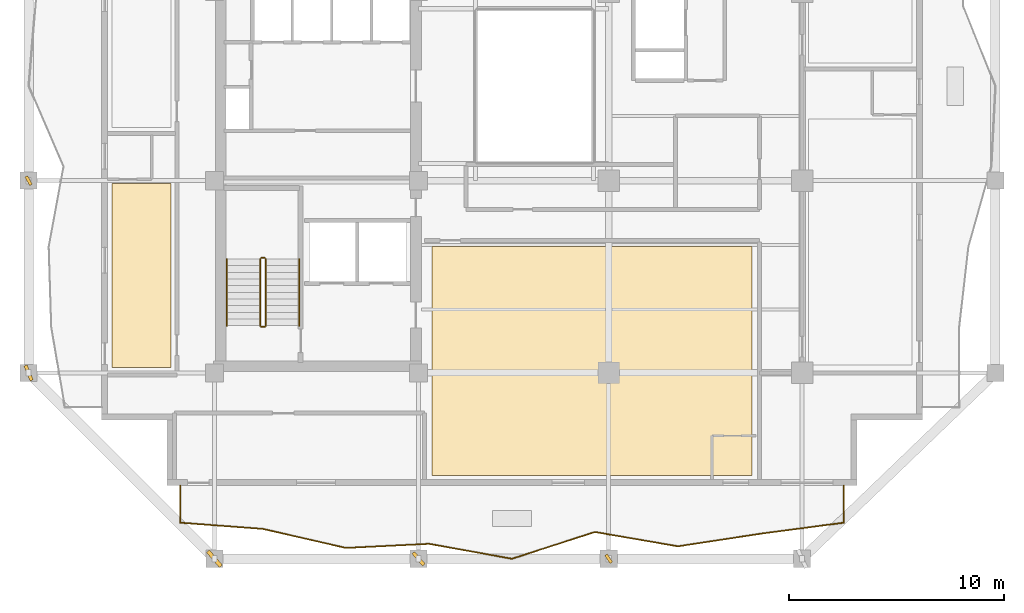
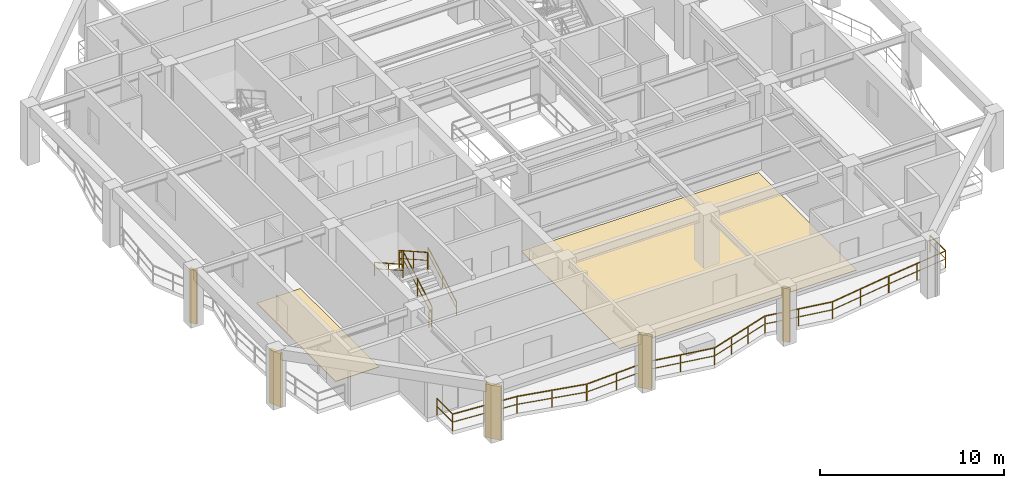
# One storey, part 7 of 10: 7 railings, 5 shading devices, 2 coverings.
"""IFC4 building model written with IfcOpenShell, lengths in metres."""

from ifc_helpers import new_model, si_unit, direction, frame, origin, origin_2d, place, context, subcontext, project, spatial, polyline, rectangle, outline, extrude, material, layer, layer_set, type_object, element, save


model = new_model("IFC4")

# Units and contexts
model_context = context("Model", 3, precision=1e-05, world=origin(), true_north=direction((0.0, 1.0)))
body_context = subcontext(model_context, "Body", "Model", "MODEL_VIEW")
ifc_project = project(units=[si_unit("LENGTHUNIT", "METRE"), si_unit("AREAUNIT", "SQUARE_METRE"), si_unit("VOLUMEUNIT", "CUBIC_METRE"), si_unit("PLANEANGLEUNIT", "RADIAN"), si_unit("MASSUNIT", "GRAM", prefix="KILO")], contexts=[model_context])

# Site, building, storey
site_placement = place(None, origin())
site = spatial("IfcSite", under=ifc_project, at=site_placement, CompositionType="ELEMENT")
building_placement = place(site_placement, origin())
building = spatial("IfcBuilding", under=site, at=building_placement, Name="Kundavana Baori Tower", CompositionType="ELEMENT")
storey_placement = place(building_placement, frame((0.0, 0.0, 150.199951171875)))
storey = spatial("IfcBuildingStorey", under=building, at=storey_placement, Name="L36", CompositionType="ELEMENT", Elevation=150.199951171875)

# Coverings
ifc_material_1 = material(Name="Honed Kota Stone and Terrazzo Flooring", Category="masonry")
ifc_layer = layer(ifc_material_1, 0.030029296875, Name="COV-INT-FLR")
ifc_layer_set = layer_set([ifc_layer], Name="Honed Kota Stone and Terrazzo Flooring")
covering_type = type_object("IfcCoveringType", Name="COV-INT-FLR", PredefinedType="FLOORING", material=ifc_layer_set)
covering_1_placement = place(storey_placement, origin())
element("IfcCovering", 1, at=covering_1_placement, inside=storey, type_object=covering_type, Name="L36 Room Finished Stone Flooring 1", PredefinedType="FLOORING", context=body_context, shape_type="SweptSolid", body=[
    extrude(outline(polyline([(10.679931640625, 15.5), (13.419921875, 15.5), (13.419921875, 24.070068359375), (10.679931640625, 24.070068359375), (10.679931640625, 15.5)])), origin(), (0.0, 0.0, 1.0), 0.030029296875),
])
covering_2_placement = place(storey_placement, origin())
element("IfcCovering", 2, at=covering_2_placement, inside=storey, type_object=covering_type, Name="L36 Room Finished Stone Flooring 3", PredefinedType="FLOORING", context=body_context, shape_type="SweptSolid", body=[
    extrude(outline(polyline([(25.580078125, 10.47998046875), (40.4599609375, 10.47998046875), (40.4599609375, 21.139892578125), (25.580078125, 21.139892578125), (25.580078125, 10.47998046875)])), origin(), (0.0, 0.0, 1.0), 0.030029296875),
])

# Railings
ifc_material_2 = material(Name="Architectural Patinated Bronze Metalwork")
railing_type_1 = type_object("IfcRailingType", Name="RL-BAL-1150", PredefinedType="BALUSTRADE", material=ifc_material_2)
railing_1_placement = place(storey_placement, frame((44.75, 10.0, 0.0)))
element("IfcRailing", 3, at=railing_1_placement, inside=storey, type_object=railing_type_1, Name="L36 Loggia Balcony Balustrade S", PredefinedType="BALUSTRADE", context=body_context, shape_type="SweptSolid", body=[
    extrude(rectangle(XDim=0.048095703125, YDim=0.048095703125, at=origin_2d()), frame((0.0, 0.0, 1.1259765625), z_axis=(0.0, -1.0, 0.0), x_axis=(1.0, 0.0, 0.0)), (0.0, 0.0, 1.0), 1.719970703125),
    extrude(rectangle(XDim=0.03125, YDim=0.03125, at=origin_2d()), frame((0.0, 0.0, 0.597900390625), z_axis=(0.0, -1.0, 0.0), x_axis=(1.0, 0.0, 0.0)), (0.0, 0.0, 1.0), 1.719970703125),
    extrude(rectangle(XDim=0.048095703125, YDim=0.048095703125, at=origin_2d()), frame((0.0, -1.719970703125, 1.1259765625), z_axis=(-0.991299432241, -0.131626120656, 0.0), x_axis=(0.131626120656, -0.991299432241, 0.0)), (0.0, 0.0, 1.0), 3.89697265625),
    extrude(rectangle(XDim=0.03125, YDim=0.03125, at=origin_2d()), frame((0.0, -1.719970703125, 0.597900390625), z_axis=(-0.991299432241, -0.131626120656, 0.0), x_axis=(0.131626120656, -0.991299432241, 0.0)), (0.0, 0.0, 1.0), 3.89697265625),
    extrude(rectangle(XDim=0.048095703125, YDim=0.048095703125, at=origin_2d()), frame((-3.863037109375, -2.23291015625, 1.1259765625), z_axis=(-0.988565230538, -0.15079384925, 0.0), x_axis=(0.15079384925, -0.988565230538, 0.0)), (0.0, 0.0, 1.0), 3.90673828125),
    extrude(rectangle(XDim=0.03125, YDim=0.03125, at=origin_2d()), frame((-3.863037109375, -2.23291015625, 0.597900390625), z_axis=(-0.988565230538, -0.15079384925, 0.0), x_axis=(0.15079384925, -0.988565230538, 0.0)), (0.0, 0.0, 1.0), 3.90673828125),
    extrude(rectangle(XDim=0.048095703125, YDim=0.048095703125, at=origin_2d()), frame((-7.72509765625, -2.822021484375, 1.1259765625), z_axis=(-0.985410437692, 0.170194798064, 0.0), x_axis=(-0.170194798064, -0.985410437692, 0.0)), (0.0, 0.0, 1.0), 3.9189453125),
    extrude(rectangle(XDim=0.03125, YDim=0.03125, at=origin_2d()), frame((-7.72509765625, -2.822021484375, 0.597900390625), z_axis=(-0.985410437692, 0.170194798064, 0.0), x_axis=(-0.170194798064, -0.985410437692, 0.0)), (0.0, 0.0, 1.0), 3.9189453125),
    extrude(rectangle(XDim=0.048095703125, YDim=0.048095703125, at=origin_2d()), frame((-11.5869140625, -2.155029296875, 1.1259765625), z_axis=(-0.951799853944, -0.306719803783, 0.0), x_axis=(0.306719803783, -0.951799853944, 0.0)), (0.0, 0.0, 1.0), 4.05859375),
    extrude(rectangle(XDim=0.03125, YDim=0.03125, at=origin_2d()), frame((-11.5869140625, -2.155029296875, 0.597900390625), z_axis=(-0.951799853944, -0.306719803783, 0.0), x_axis=(0.306719803783, -0.951799853944, 0.0)), (0.0, 0.0, 1.0), 4.05859375),
    extrude(rectangle(XDim=0.048095703125, YDim=0.048095703125, at=origin_2d()), frame((-15.449951171875, -3.39990234375, 1.1259765625), z_axis=(-0.984198723654, 0.177067423195, 0.0), x_axis=(-0.177067423195, -0.984198723654, 0.0)), (0.0, 0.0, 1.0), 3.924072265625),
    extrude(rectangle(XDim=0.03125, YDim=0.03125, at=origin_2d()), frame((-15.449951171875, -3.39990234375, 0.597900390625), z_axis=(-0.984198723654, 0.177067423195, 0.0), x_axis=(-0.177067423195, -0.984198723654, 0.0)), (0.0, 0.0, 1.0), 3.924072265625),
    extrude(rectangle(XDim=0.048095703125, YDim=0.048095703125, at=origin_2d()), frame((-19.31201171875, -2.705078125, 1.1259765625), z_axis=(-0.998755956632, -0.049865209236, 0.0), x_axis=(0.049865209236, -0.998755956632, 0.0)), (0.0, 0.0, 1.0), 3.867919921875),
    extrude(rectangle(XDim=0.03125, YDim=0.03125, at=origin_2d()), frame((-19.31201171875, -2.705078125, 0.597900390625), z_axis=(-0.998755956632, -0.049865209236, 0.0), x_axis=(0.049865209236, -0.998755956632, 0.0)), (0.0, 0.0, 1.0), 3.867919921875),
    extrude(rectangle(XDim=0.048095703125, YDim=0.048095703125, at=origin_2d()), frame((-23.175048828125, -2.89794921875, 1.1259765625), z_axis=(-0.974693464174, 0.223545634929, 0.0), x_axis=(-0.223545634929, -0.974693464174, 0.0)), (0.0, 0.0, 1.0), 3.96337890625),
    extrude(rectangle(XDim=0.03125, YDim=0.03125, at=origin_2d()), frame((-23.175048828125, -2.89794921875, 0.597900390625), z_axis=(-0.974693464174, 0.223545634929, 0.0), x_axis=(-0.223545634929, -0.974693464174, 0.0)), (0.0, 0.0, 1.0), 3.96337890625),
    extrude(rectangle(XDim=0.048095703125, YDim=0.048095703125, at=origin_2d()), frame((-27.0380859375, -2.011962890625, 1.1259765625), z_axis=(-0.997153757003, 0.075394859867, 0.0), x_axis=(-0.075394859867, -0.997153757003, 0.0)), (0.0, 0.0, 1.0), 3.872802734375),
    extrude(rectangle(XDim=0.03125, YDim=0.03125, at=origin_2d()), frame((-27.0380859375, -2.011962890625, 0.597900390625), z_axis=(-0.997153757003, 0.075394859867, 0.0), x_axis=(-0.075394859867, -0.997153757003, 0.0)), (0.0, 0.0, 1.0), 3.872802734375),
    extrude(rectangle(XDim=0.048095703125, YDim=0.048095703125, at=origin_2d()), frame((-30.89990234375, -1.719970703125, 1.1259765625), z_axis=(0.0, 1.0, 0.0), x_axis=(-1.0, 0.0, 0.0)), (0.0, 0.0, 1.0), 1.719970703125),
    extrude(rectangle(XDim=0.03125, YDim=0.03125, at=origin_2d()), frame((-30.89990234375, -1.719970703125, 0.597900390625), z_axis=(0.0, 1.0, 0.0), x_axis=(-1.0, 0.0, 0.0)), (0.0, 0.0, 1.0), 1.719970703125),
    extrude(rectangle(XDim=0.0419921875, YDim=0.0419921875, at=origin_2d()), origin(), (0.0, 0.0, 1.0), 1.101806640625),
    extrude(rectangle(XDim=0.0419921875, YDim=0.0419921875, at=origin_2d()), frame((0.0, -1.719970703125, 0.0)), (0.0, 0.0, 1.0), 1.101806640625),
    extrude(rectangle(XDim=0.0419921875, YDim=0.0419921875, at=origin_2d()), frame((-1.931640625, -1.9765625, 0.0)), (0.0, 0.0, 1.0), 1.101806640625),
    extrude(rectangle(XDim=0.0419921875, YDim=0.0419921875, at=origin_2d()), frame((-3.863037109375, -2.23291015625, 0.0)), (0.0, 0.0, 1.0), 1.101806640625),
    extrude(rectangle(XDim=0.0419921875, YDim=0.0419921875, at=origin_2d()), frame((-5.7939453125, -2.52734375, 0.0)), (0.0, 0.0, 1.0), 1.101806640625),
    extrude(rectangle(XDim=0.0419921875, YDim=0.0419921875, at=origin_2d()), frame((-7.72509765625, -2.822021484375, 0.0)), (0.0, 0.0, 1.0), 1.101806640625),
    extrude(rectangle(XDim=0.0419921875, YDim=0.0419921875, at=origin_2d()), frame((-9.656005859375, -2.488525390625, 0.0)), (0.0, 0.0, 1.0), 1.101806640625),
    extrude(rectangle(XDim=0.0419921875, YDim=0.0419921875, at=origin_2d()), frame((-11.5869140625, -2.155029296875, 0.0)), (0.0, 0.0, 1.0), 1.101806640625),
    extrude(rectangle(XDim=0.0419921875, YDim=0.0419921875, at=origin_2d()), frame((-12.87451171875, -2.570068359375, 0.0)), (0.0, 0.0, 1.0), 1.101806640625),
    extrude(rectangle(XDim=0.0419921875, YDim=0.0419921875, at=origin_2d()), frame((-14.162353515625, -2.98486328125, 0.0)), (0.0, 0.0, 1.0), 1.101806640625),
    extrude(rectangle(XDim=0.0419921875, YDim=0.0419921875, at=origin_2d()), frame((-15.449951171875, -3.39990234375, 0.0)), (0.0, 0.0, 1.0), 1.101806640625),
    extrude(rectangle(XDim=0.0419921875, YDim=0.0419921875, at=origin_2d()), frame((-17.380859375, -3.052490234375, 0.0)), (0.0, 0.0, 1.0), 1.101806640625),
    extrude(rectangle(XDim=0.0419921875, YDim=0.0419921875, at=origin_2d()), frame((-19.31201171875, -2.705078125, 0.0)), (0.0, 0.0, 1.0), 1.101806640625),
    extrude(rectangle(XDim=0.0419921875, YDim=0.0419921875, at=origin_2d()), frame((-21.24365234375, -2.801513671875, 0.0)), (0.0, 0.0, 1.0), 1.101806640625),
    extrude(rectangle(XDim=0.0419921875, YDim=0.0419921875, at=origin_2d()), frame((-23.175048828125, -2.89794921875, 0.0)), (0.0, 0.0, 1.0), 1.101806640625),
    extrude(rectangle(XDim=0.0419921875, YDim=0.0419921875, at=origin_2d()), frame((-25.1064453125, -2.455078125, 0.0)), (0.0, 0.0, 1.0), 1.101806640625),
    extrude(rectangle(XDim=0.0419921875, YDim=0.0419921875, at=origin_2d()), frame((-27.0380859375, -2.011962890625, 0.0)), (0.0, 0.0, 1.0), 1.101806640625),
    extrude(rectangle(XDim=0.0419921875, YDim=0.0419921875, at=origin_2d()), frame((-28.968994140625, -1.865966796875, 0.0)), (0.0, 0.0, 1.0), 1.101806640625),
    extrude(rectangle(XDim=0.0419921875, YDim=0.0419921875, at=origin_2d()), frame((-30.89990234375, -1.719970703125, 0.0)), (0.0, 0.0, 1.0), 1.101806640625),
    extrude(rectangle(XDim=0.0419921875, YDim=0.0419921875, at=origin_2d()), frame((-30.89990234375, 0.0, 0.0)), (0.0, 0.0, 1.0), 1.101806640625),
])
ifc_material_3 = material(Name="Architectural Patinated Bronze Metalwork")
railing_type_2 = type_object("IfcRailingType", Name="RL-GRD-1150", PredefinedType="GUARDRAIL", material=ifc_material_3)
railing_2_placement = place(storey_placement, frame((17.840087890625, 17.449951171875, 0.175048828125)))
element("IfcRailing", 4, at=railing_2_placement, inside=storey, type_object=railing_type_2, Name="L36 ST1 stair guard 1", PredefinedType="GUARDRAIL", context=body_context, shape_type="SweptSolid", body=[
    extrude(rectangle(XDim=0.048095703125, YDim=0.048095703125, at=origin_2d()), frame((0.0, 0.0, 1.1259765625), z_axis=(0.0, 0.870830938388, 0.491582624537), x_axis=(-1.0, 0.0, 0.0)), (0.0, 0.0, 1.0), 3.559814453125),
    extrude(rectangle(XDim=0.03125, YDim=0.03125, at=origin_2d()), frame((0.0, 0.0, 0.597900390625), z_axis=(0.0, 0.870830938388, 0.491582624537), x_axis=(-1.0, 0.0, 0.0)), (0.0, 0.0, 1.0), 3.559814453125),
    extrude(rectangle(XDim=0.0419921875, YDim=0.0419921875, at=origin_2d()), origin(), (0.0, 0.0, 1.0), 1.101806640625),
    extrude(rectangle(XDim=0.0419921875, YDim=0.0419921875, at=origin_2d()), frame((0.0, 1.550048828125, 0.875)), (0.0, 0.0, 1.0), 1.101806640625),
    extrude(rectangle(XDim=0.0419921875, YDim=0.0419921875, at=origin_2d()), frame((0.0, 3.10009765625, 1.75)), (0.0, 0.0, 1.0), 1.101806640625),
])
railing_3_placement = place(storey_placement, frame((17.7900390625, 20.60009765625, 1.925048828125)))
element("IfcRailing", 5, at=railing_3_placement, inside=storey, type_object=railing_type_2, Name="L36 ST1 stair guard 2", PredefinedType="GUARDRAIL", context=body_context, shape_type="SweptSolid", body=[
    extrude(rectangle(XDim=0.048095703125, YDim=0.048095703125, at=origin_2d()), frame((0.0, 0.0, 1.1259765625), z_axis=(-1.0, 0.0, 0.0), x_axis=(0.0, -1.0, 0.0)), (0.0, 0.0, 1.0), 0.16015625),
    extrude(rectangle(XDim=0.03125, YDim=0.03125, at=origin_2d()), frame((0.0, 0.0, 0.597900390625), z_axis=(-1.0, 0.0, 0.0), x_axis=(0.0, -1.0, 0.0)), (0.0, 0.0, 1.0), 0.16015625),
    extrude(rectangle(XDim=0.0419921875, YDim=0.0419921875, at=origin_2d()), origin(), (0.0, 0.0, 1.0), 1.101806640625),
    extrude(rectangle(XDim=0.0419921875, YDim=0.0419921875, at=origin_2d()), frame((-0.16015625, 0.0, 0.0)), (0.0, 0.0, 1.0), 1.101806640625),
])
railing_4_placement = place(storey_placement, frame((17.580078125, 20.550048828125, 2.10009765625)))
element("IfcRailing", 6, at=railing_4_placement, inside=storey, type_object=railing_type_2, Name="L36 ST1 stair guard 3", PredefinedType="GUARDRAIL", context=body_context, shape_type="SweptSolid", body=[
    extrude(rectangle(XDim=0.048095703125, YDim=0.048095703125, at=origin_2d()), frame((0.0, 0.0, 1.1259765625), z_axis=(0.0, -0.870830938388, 0.491582624537), x_axis=(1.0, 0.0, 0.0)), (0.0, 0.0, 1.0), 3.559814453125),
    extrude(rectangle(XDim=0.03125, YDim=0.03125, at=origin_2d()), frame((0.0, 0.0, 0.597900390625), z_axis=(0.0, -0.870830938388, 0.491582624537), x_axis=(1.0, 0.0, 0.0)), (0.0, 0.0, 1.0), 3.559814453125),
    extrude(rectangle(XDim=0.0419921875, YDim=0.0419921875, at=origin_2d()), origin(), (0.0, 0.0, 1.0), 1.101806640625),
    extrude(rectangle(XDim=0.0419921875, YDim=0.0419921875, at=origin_2d()), frame((0.0, -1.550048828125, 0.875)), (0.0, 0.0, 1.0), 1.101806640625),
    extrude(rectangle(XDim=0.0419921875, YDim=0.0419921875, at=origin_2d()), frame((0.0, -3.10009765625, 1.75)), (0.0, 0.0, 1.0), 1.101806640625),
])
railing_5_placement = place(storey_placement, frame((17.7900390625, 17.39990234375, 0.0)))
element("IfcRailing", 7, at=railing_5_placement, inside=storey, type_object=railing_type_2, Name="L36 ST1 stair guard 4", PredefinedType="GUARDRAIL", context=body_context, shape_type="SweptSolid", body=[
    extrude(rectangle(XDim=0.048095703125, YDim=0.048095703125, at=origin_2d()), frame((0.0, 0.0, 1.1259765625), z_axis=(-1.0, 0.0, 0.0), x_axis=(0.0, -1.0, 0.0)), (0.0, 0.0, 1.0), 0.16015625),
    extrude(rectangle(XDim=0.03125, YDim=0.03125, at=origin_2d()), frame((0.0, 0.0, 0.597900390625), z_axis=(-1.0, 0.0, 0.0), x_axis=(0.0, -1.0, 0.0)), (0.0, 0.0, 1.0), 0.16015625),
    extrude(rectangle(XDim=0.0419921875, YDim=0.0419921875, at=origin_2d()), origin(), (0.0, 0.0, 1.0), 1.101806640625),
    extrude(rectangle(XDim=0.0419921875, YDim=0.0419921875, at=origin_2d()), frame((-0.16015625, 0.0, 0.0)), (0.0, 0.0, 1.0), 1.101806640625),
])
ifc_material_4 = material(Name="Architectural Patinated Bronze Metalwork")
railing_type_3 = type_object("IfcRailingType", Name="RL-HND-920", PredefinedType="HANDRAIL", material=ifc_material_4)
railing_6_placement = place(storey_placement, frame((19.389892578125, 17.449951171875, 0.175048828125)))
element("IfcRailing", 8, at=railing_6_placement, inside=storey, type_object=railing_type_3, Name="L36 ST1 stair handrail 1", PredefinedType="HANDRAIL", context=body_context, shape_type="SweptSolid", body=[
    extrude(rectangle(XDim=0.048095703125, YDim=0.048095703125, at=origin_2d()), frame((0.0, 0.0, 0.8759765625), z_axis=(0.0, 0.870830938388, 0.491582624537), x_axis=(-1.0, 0.0, 0.0)), (0.0, 0.0, 1.0), 3.559814453125),
    extrude(rectangle(XDim=0.03125, YDim=0.03125, at=origin_2d()), frame((0.0, 0.0, 0.468017578125), z_axis=(0.0, 0.870830938388, 0.491582624537), x_axis=(-1.0, 0.0, 0.0)), (0.0, 0.0, 1.0), 3.559814453125),
    extrude(rectangle(XDim=0.0419921875, YDim=0.0419921875, at=origin_2d()), origin(), (0.0, 0.0, 1.0), 0.851806640625),
    extrude(rectangle(XDim=0.0419921875, YDim=0.0419921875, at=origin_2d()), frame((0.0, 1.550048828125, 0.875)), (0.0, 0.0, 1.0), 0.851806640625),
    extrude(rectangle(XDim=0.0419921875, YDim=0.0419921875, at=origin_2d()), frame((0.0, 3.10009765625, 1.75)), (0.0, 0.0, 1.0), 0.851806640625),
])
railing_7_placement = place(storey_placement, frame((16.030029296875, 20.550048828125, 2.10009765625)))
element("IfcRailing", 9, at=railing_7_placement, inside=storey, type_object=railing_type_3, Name="L36 ST1 stair handrail 2", PredefinedType="HANDRAIL", context=body_context, shape_type="SweptSolid", body=[
    extrude(rectangle(XDim=0.048095703125, YDim=0.048095703125, at=origin_2d()), frame((0.0, 0.0, 0.8759765625), z_axis=(0.0, -0.870830938388, 0.491582624537), x_axis=(1.0, 0.0, 0.0)), (0.0, 0.0, 1.0), 3.559814453125),
    extrude(rectangle(XDim=0.03125, YDim=0.03125, at=origin_2d()), frame((0.0, 0.0, 0.468017578125), z_axis=(0.0, -0.870830938388, 0.491582624537), x_axis=(1.0, 0.0, 0.0)), (0.0, 0.0, 1.0), 3.559814453125),
    extrude(rectangle(XDim=0.0419921875, YDim=0.0419921875, at=origin_2d()), origin(), (0.0, 0.0, 1.0), 0.851806640625),
    extrude(rectangle(XDim=0.0419921875, YDim=0.0419921875, at=origin_2d()), frame((0.0, -1.550048828125, 0.875)), (0.0, 0.0, 1.0), 0.851806640625),
    extrude(rectangle(XDim=0.0419921875, YDim=0.0419921875, at=origin_2d()), frame((0.0, -3.10009765625, 1.75)), (0.0, 0.0, 1.0), 0.851806640625),
])

# Shading devices
ifc_material_5 = material(Name="Red-Buff Dholpur Sandstone Cladding on Concrete C40/50", Category="masonry")
shading_device_type_1 = type_object("IfcShadingDeviceType", Name="SHD-FIN-750", PredefinedType="JALOUSIE", material=ifc_material_5)
for number, where, z_axis, x_axis, name in (
    (10, (24.949951171875, 6.60009765625, 0.0), (0.0, 0.0, 1.0), (0.755281812285, 0.655400170912, 0.0), "L36 Sweeping Dholpur Sandstone Facade Fin 2"),
    (11, (6.800048828125, 15.25, 0.0), (0.0, 0.0, 1.0), (0.923812727581, 0.382844673933, 0.0), "L36 Sweeping Dholpur Sandstone Facade Fin 5"),
):
    element("IfcShadingDevice", number, at=place(storey_placement, frame(where, z_axis=z_axis, x_axis=x_axis)), inside=storey, type_object=shading_device_type_1, Name=name, PredefinedType="JALOUSIE", context=body_context, shape_type="SweptSolid", body=[
        extrude(rectangle(XDim=0.159912109375, YDim=0.75, at=origin_2d()), origin(), (0.0, 0.0, 1.0), 3.550048828125),
    ])
ifc_material_6 = material(Name="Red-Buff Dholpur Sandstone Cladding on Concrete C40/50", Category="masonry")
shading_device_type_2 = type_object("IfcShadingDeviceType", Name="SHD-FIN-920", PredefinedType="JALOUSIE", material=ifc_material_6)
shading_device_placement = place(storey_placement, frame((15.449951171875, 6.60009765625, 0.0), z_axis=(0.0, 0.0, 1.0), x_axis=(0.759384877298, 0.650641689512, 0.0)))
element("IfcShadingDevice", 12, at=shading_device_placement, inside=storey, type_object=shading_device_type_2, Name="L36 Sweeping Dholpur Sandstone Facade Fin 1", PredefinedType="JALOUSIE", context=body_context, shape_type="SweptSolid", body=[
    extrude(rectangle(XDim=0.179931640625, YDim=0.919921875, at=origin_2d()), origin(), (0.0, 0.0, 1.0), 3.550048828125),
])
ifc_material_7 = material(Name="Architectural Patinated Bronze Metalwork")
shading_device_type_3 = type_object("IfcShadingDeviceType", Name="SHD-LOUV-450", PredefinedType="SHUTTER", material=ifc_material_7)
for number, where, z_axis, x_axis, name in (
    (13, (33.800048828125, 6.60009765625, 0.0), (0.0, 0.0, 1.0), (0.837909291125, 0.545809508754, 0.0), "L36 Sweeping Dholpur Sandstone Facade Fin 3"),
    (14, (6.800048828125, 24.199951171875, 0.0), (0.0, 0.0, 1.0), (0.870097744272, 0.492879209759, 0.0), "L36 Sweeping Dholpur Sandstone Facade Fin 6"),
):
    element("IfcShadingDevice", number, at=place(storey_placement, frame(where, z_axis=z_axis, x_axis=x_axis)), inside=storey, type_object=shading_device_type_3, Name=name, PredefinedType="SHUTTER", context=body_context, shape_type="SweptSolid", body=[
        extrude(rectangle(XDim=0.139892578125, YDim=0.449951171875, at=origin_2d()), origin(), (0.0, 0.0, 1.0), 3.550048828125),
    ])

save(model, "model.ifc")
